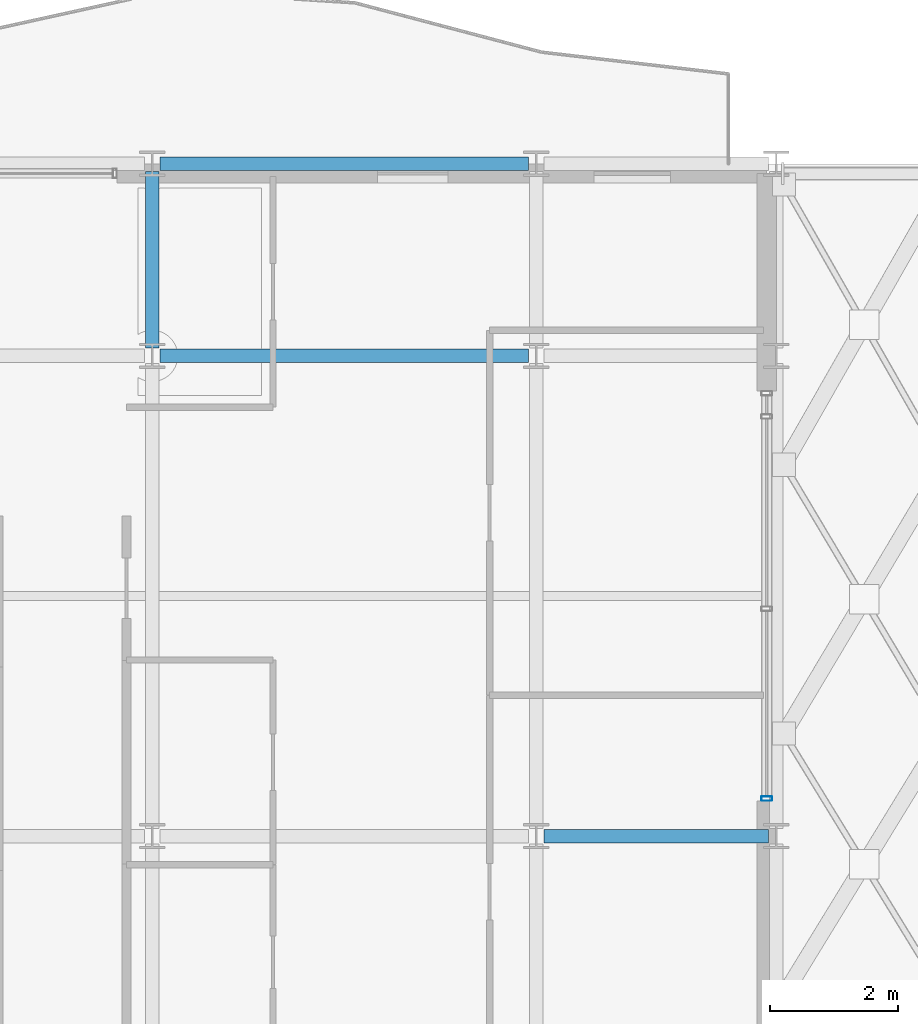
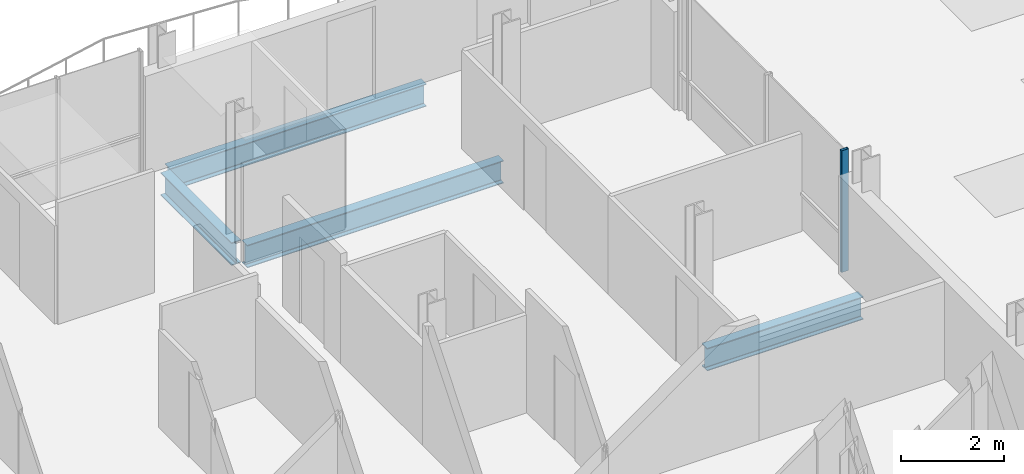
# One storey, part 8 of 33: 4 beams, 1 member, 1 element without a shape of its own.
"""IFC4 building model written with IfcOpenShell, lengths in metres."""

from ifc_helpers import new_model, si_unit, direction, frame, origin, origin_2d, place, context, subcontext, project, spatial, hollow_rectangle, i_section, extrude, material, layer, layer_set, material_profile, profile_set, type_object, element, aggregate, save


model = new_model("IFC4")

# Units and contexts
model_context = context("Model", 3, precision=1e-05, world=origin(), true_north=direction((0.0, 1.0)))
body_context = subcontext(model_context, "Body", "Model", "MODEL_VIEW")
ifc_project = project(units=[si_unit("LENGTHUNIT", "METRE"), si_unit("AREAUNIT", "SQUARE_METRE"), si_unit("VOLUMEUNIT", "CUBIC_METRE"), si_unit("PLANEANGLEUNIT", "RADIAN"), si_unit("MASSUNIT", "GRAM", prefix="KILO")], contexts=[model_context])

# Site, building, storey
site_placement = place(None, origin())
site = spatial("IfcSite", under=ifc_project, at=site_placement, CompositionType="ELEMENT")
building_placement = place(site_placement, origin())
building = spatial("IfcBuilding", under=site, at=building_placement, Name="Brevholm Reach", CompositionType="ELEMENT")
storey_placement = place(building_placement, frame((0.0, 0.0, 189.39990234375)))
storey = spatial("IfcBuildingStorey", under=building, at=storey_placement, Name="L57", CompositionType="ELEMENT", Elevation=189.39990234375)

# Beams
ifc_material_1 = material(Name="Structural Steel S355J2", Category="steel")
ifc_material_profile_1 = material_profile(ifc_material_1, i_section(OverallWidth=0.209228515625, OverallDepth=0.533203125, WebThickness=0.010009765625, FlangeThickness=0.015625, FilletRadius=0.0126953125, at=origin_2d()), Name="UKB 533x210x92")
ifc_profile_set_1 = profile_set([ifc_material_profile_1], Name="Structural Steel S355J2")
beam_type_1 = type_object("IfcBeamType", Name="BM-SP533", PredefinedType="SPANDREL", material=ifc_profile_set_1)
beam_1_placement = place(storey_placement, frame((12.1201171875, 26.5, -0.4765625), z_axis=(1.0, 0.0, 0.0), x_axis=(0.0, 1.0, 0.0)))
element("IfcBeam", 1, at=beam_1_placement, inside=storey, type_object=beam_type_1, Name="L57 SP-02 Framing Beam", PredefinedType="SPANDREL", context=body_context, shape_type="SweptSolid", body=[
    extrude(i_section(OverallWidth=0.209228515625, OverallDepth=0.533203125, WebThickness=0.010009765625, FlangeThickness=0.015625, FilletRadius=0.0126953125, at=origin_2d()), origin(), (0.0, 0.0, 1.0), 5.759765625),
])
ifc_material_2 = material(Name="Structural Steel S355J2", Category="steel")
ifc_material_profile_2 = material_profile(ifc_material_2, i_section(OverallWidth=0.210693359375, OverallDepth=0.53955078125, WebThickness=0.01171875, FlangeThickness=0.018798828125, FilletRadius=0.0126953125, at=origin_2d()), Name="UKB 533x210x109")
ifc_profile_set_2 = profile_set([ifc_material_profile_2], Name="Structural Steel S355J2")
beam_type_2 = type_object("IfcBeamType", Name="BM-SP539", PredefinedType="SPANDREL", material=ifc_profile_set_2)
beam_2_placement = place(storey_placement, frame((18.1201171875, 16.0, -0.479736328125), z_axis=(1.0, 0.0, 0.0), x_axis=(0.0, 1.0, 0.0)))
element("IfcBeam", 2, at=beam_2_placement, inside=storey, type_object=beam_type_2, Name="L57 SP-01B Framing Beam", PredefinedType="SPANDREL", context=body_context, shape_type="SweptSolid", body=[
    extrude(i_section(OverallWidth=0.210693359375, OverallDepth=0.53955078125, WebThickness=0.01171875, FlangeThickness=0.018798828125, FilletRadius=0.0126953125, at=origin_2d()), origin(), (0.0, 0.0, 1.0), 3.509765625),
])
beam_3_placement = place(storey_placement, frame((12.1201171875, 23.5, -0.479736328125), z_axis=(1.0, 0.0, 0.0), x_axis=(0.0, 1.0, 0.0)))
element("IfcBeam", 3, at=beam_3_placement, inside=storey, type_object=beam_type_2, Name="L57 SP-01B Framing Beam", PredefinedType="SPANDREL", context=body_context, shape_type="SweptSolid", body=[
    extrude(i_section(OverallWidth=0.210693359375, OverallDepth=0.53955078125, WebThickness=0.01171875, FlangeThickness=0.018798828125, FilletRadius=0.0126953125, at=origin_2d()), origin(), (0.0, 0.0, 1.0), 5.759765625),
])
beam_4_placement = place(storey_placement, frame((12.0, 23.6201171875, -0.479736328125), z_axis=(0.0, 1.0, 0.0), x_axis=(-1.0, 0.0, 0.0)))
element("IfcBeam", 4, at=beam_4_placement, inside=storey, type_object=beam_type_2, Name="L57 SP-01B Framing Beam", PredefinedType="SPANDREL", context=body_context, shape_type="SweptSolid", body=[
    extrude(i_section(OverallWidth=0.210693359375, OverallDepth=0.53955078125, WebThickness=0.01171875, FlangeThickness=0.018798828125, FilletRadius=0.0126953125, at=origin_2d()), origin(), (0.0, 0.0, 1.0), 2.759765625),
])

# Curtain wall, member
ifc_material_3 = material(Name="Dark Anodised Aluminium 6063-T6 and Solar-Control Glass", Category="aluminium")
ifc_layer = layer(ifc_material_3, 0.1650390625)
ifc_layer_set = layer_set([ifc_layer], Name="Dark Anodised Aluminium 6063-T6 and Solar-Control Glass")
curtain_wall_type = type_object("IfcCurtainWallType", Name="CW-04", PredefinedType="NOTDEFINED", material=ifc_layer_set)
curtain_wall_placement = place(storey_placement, origin())
curtain_wall = element("IfcCurtainWall", 5, at=curtain_wall_placement, inside=storey, type_object=curtain_wall_type, Name="L57 Curtain Wall CW-04", PredefinedType="NOTDEFINED")
ifc_material_4 = material(Name="Dark Anodised Aluminium 6063-T6", Category="aluminium")
ifc_material_profile_3 = material_profile(ifc_material_4, hollow_rectangle(XDim=0.070068359375, YDim=0.1650390625, WallThickness=0.0048828125, InnerFilletRadius=0.0048828125, OuterFilletRadius=0.010009765625, at=origin_2d()), Name="RHS 165x70x5")
ifc_profile_set_3 = profile_set([ifc_material_profile_3], Name="Dark Anodised Aluminium 6063-T6")
member_type = type_object("IfcMemberType", Name="CWM-165", PredefinedType="MULLION", material=ifc_profile_set_3)
member_placement = place(storey_placement, frame((21.60009765625, 16.5849609375, 0.0), z_axis=(0.0, 0.0, 1.0), x_axis=(0.0, 1.0, 0.0)))
member = element("IfcMember", 6, at=member_placement, type_object=member_type, Name="CM-165 Mullion 1", PredefinedType="MULLION", context=body_context, shape_type="SweptSolid", body=[
    extrude(hollow_rectangle(XDim=0.070068359375, YDim=0.1650390625, WallThickness=0.0048828125, InnerFilletRadius=0.0048828125, OuterFilletRadius=0.010009765625, at=origin_2d()), origin(), (0.0, 0.0, 1.0), 2.89013671875),
])
aggregate(curtain_wall, [member])

save(model, "model.ifc")
